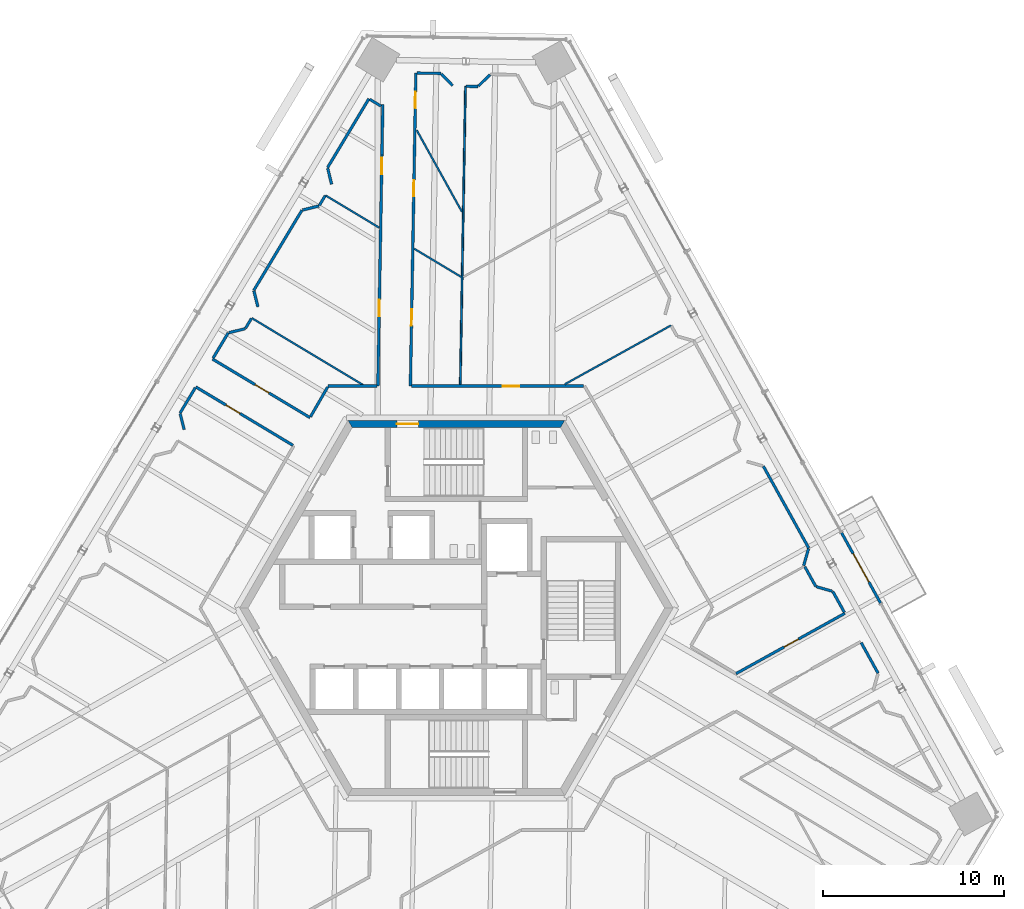
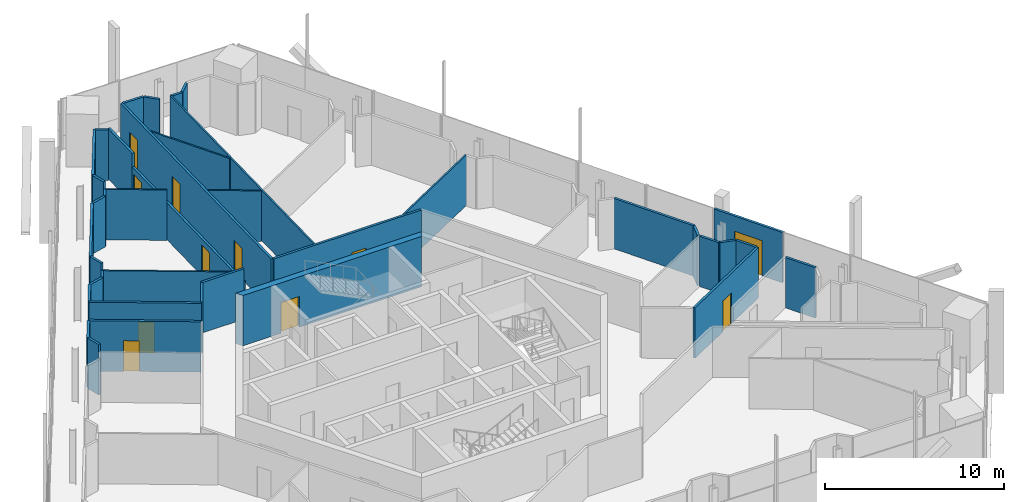
# One storey, part 15 of 22: 39 walls, 11 doors, 11 openings.
"""IFC4 building model written with IfcOpenShell, lengths in metres."""

from ifc_helpers import new_model, si_unit, direction, frame, frame_2d, origin, place, context, subcontext, project, spatial, polyline, rectangle, outline, extrude, source, transform, mapped, material, layer, layer_set, type_object, element, fill, save


model = new_model("IFC4")

# Units and contexts
model_context = context("Model", 3, precision=1e-05, world=origin(), true_north=direction((0.0, 1.0)))
body_context = subcontext(model_context, "Body", "Model", "MODEL_VIEW")
ifc_project = project(units=[si_unit("LENGTHUNIT", "METRE"), si_unit("AREAUNIT", "SQUARE_METRE"), si_unit("VOLUMEUNIT", "CUBIC_METRE"), si_unit("PLANEANGLEUNIT", "RADIAN"), si_unit("MASSUNIT", "GRAM", prefix="KILO")], contexts=[model_context])

# Site, building, storey
site_placement = place(None, origin())
site = spatial("IfcSite", under=ifc_project, at=site_placement, CompositionType="ELEMENT")
building_placement = place(site_placement, origin())
building = spatial("IfcBuilding", under=site, at=building_placement, Name="Triune Harvest Tower", CompositionType="ELEMENT")
storey_placement = place(building_placement, frame((0.0, 0.0, 208.699951171875)))
storey = spatial("IfcBuildingStorey", under=building, at=storey_placement, Name="L54", CompositionType="ELEMENT", Elevation=208.699951171875)

# Walls
ifc_material_1 = material(Name="Gypsum board on steel studs", Category="steel")
ifc_layer_1 = layer(ifc_material_1, 0.14990234375)
ifc_layer_set_1 = layer_set([ifc_layer_1], Name="Gypsum board on steel studs")
wall_type_1 = type_object("IfcWallType", Name="Fire Partition 150 mm", PredefinedType="PARTITIONING", material=ifc_layer_set_1)
wall_1_placement = place(storey_placement, frame((-15.294677734375, 10.767333984375, 0.0), z_axis=(0.0, 0.0, 1.0), x_axis=(0.241781213192, -0.970330791507, 0.0)))
element("IfcWall", 1, at=wall_1_placement, inside=storey, type_object=wall_type_1, Name="Partition L54 004", PredefinedType="PARTITIONING", context=body_context, shape_type="SweptSolid", body=[
    extrude(rectangle(XDim=0.913818359375, YDim=0.14990234375, at=frame_2d((0.45703125, 0.0))), origin(), (0.0, 0.0, 1.0), 3.43994140625),
])
wall_2_placement = place(storey_placement, frame((19.296875, 2.29052734375, 0.0), z_axis=(0.0, 0.0, 1.0), x_axis=(0.484771147593, -0.874641031773, 0.0)))
element("IfcWall", 2, at=wall_2_placement, inside=storey, type_object=wall_type_1, Name="Partition L54 018", PredefinedType="PARTITIONING", context=body_context, shape_type="SweptSolid", body=[
    extrude(rectangle(XDim=1.260498046875, YDim=0.14990234375, at=frame_2d((0.63037109375, 0.0))), origin(), (0.0, 0.0, 1.0), 3.43994140625),
])
wall_3_placement = place(storey_placement, frame((17.001220703125, 7.853515625, 0.0), z_axis=(0.0, 0.0, 1.0), x_axis=(0.484810485576, -0.874619227479, 0.0)))
element("IfcWall", 3, at=wall_3_placement, inside=storey, type_object=wall_type_1, Name="Partition L54 023", PredefinedType="PARTITIONING", context=body_context, shape_type="SweptSolid", body=[
    extrude(rectangle(XDim=5.180908203125, YDim=0.14990234375, at=frame_2d((2.59033203125, 0.0))), origin(), (0.0, 0.0, 1.0), 3.43994140625),
])
wall_4_placement = place(storey_placement, frame((22.41845703125, -1.919677734375, 0.0), z_axis=(0.0, 0.0, 1.0), x_axis=(0.484795662351, -0.874627443981, 0.0)))
element("IfcWall", 4, at=wall_4_placement, inside=storey, type_object=wall_type_1, Name="Partition L54 025", PredefinedType="PARTITIONING", context=body_context, shape_type="SweptSolid", body=[
    extrude(rectangle(XDim=1.933349609375, YDim=0.14990234375, at=frame_2d((0.966796875, 0.0))), origin(), (0.0, 0.0, 1.0), 3.43994140625),
])

# Wall, opening, door
wall_5_placement = place(storey_placement, frame((-14.431396484375, 12.245361328125, 0.0), z_axis=(0.0, 0.0, 1.0), x_axis=(0.85715997483, -0.515050267013, 0.0)))
wall_5 = element("IfcWall", 5, at=wall_5_placement, inside=storey, type_object=wall_type_1, Name="Partition L54 040", PredefinedType="PARTITIONING", context=body_context, shape_type="SweptSolid", body=[
    extrude(rectangle(XDim=6.279296875, YDim=0.14990234375, at=frame_2d((3.1396484375, 0.0))), origin(), (0.0, 0.0, 1.0), 3.43994140625),
])
opening_1_placement = place(wall_5_placement, frame((1.949951171875, 0.0, 0.0)))
opening_1 = element("IfcOpeningElement", 6, at=opening_1_placement, cuts=wall_5, Name="Opening L54-013", PredefinedType="OPENING", context=body_context, shape_type="SweptSolid", body=[
    extrude(rectangle(XDim=0.89990234375, YDim=2.10009765625, at=frame_2d((0.449951171875, 1.050048828125))), frame((0.0, 0.0849609375, 0.0), z_axis=(0.0, -1.0, 0.0), x_axis=(1.0, 0.0, 0.0)), (0.0, 0.0, 1.0), 0.169921875),
])
ifc_material_2 = material(Name="Timber and steel door set", Category="steel")
door_type_1 = type_object("IfcDoorType", Name="Single leaf door FD30 right hand 900 x 2100", OperationType="SINGLE_SWING_RIGHT", PredefinedType="DOOR", material=ifc_material_2)
door_1_placement = place(opening_1_placement, origin())
door_1 = element("IfcDoor", 7, at=door_1_placement, inside=storey, type_object=door_type_1, Name="Door L54-013 Meeting Room 54.13", OperationType="SINGLE_SWING_RIGHT", OverallHeight=2.10009765625, OverallWidth=0.89990234375, PredefinedType="DOOR", context=body_context, shape_type="SweptSolid", body=[
    extrude(rectangle(XDim=0.89990234375, YDim=2.10009765625, at=frame_2d((0.449951171875, 1.050048828125))), frame((0.0, 0.02490234375, 0.0), z_axis=(0.0, -1.0, 0.0), x_axis=(1.0, 0.0, 0.0)), (0.0, 0.0, 1.0), 0.050048828125),
])
fill(opening_1, door_1)

wall_6_placement = place(storey_placement, frame((-13.50439453125, 13.788330078125, 0.0), z_axis=(0.0, 0.0, 1.0), x_axis=(0.857171236969, -0.515031523805, 0.0)))
wall_6 = element("IfcWall", 8, at=wall_6_placement, inside=storey, type_object=wall_type_1, Name="Partition L54 042", PredefinedType="PARTITIONING", context=body_context, shape_type="SweptSolid", body=[
    extrude(rectangle(XDim=6.2978515625, YDim=0.14990234375, at=frame_2d((3.14892578125, 0.0))), origin(), (0.0, 0.0, 1.0), 3.43994140625),
])
opening_2_placement = place(wall_6_placement, frame((2.748046875, 0.0, 0.0)))
opening_2 = element("IfcOpeningElement", 9, at=opening_2_placement, cuts=wall_6, Name="Opening L54-014", PredefinedType="OPENING", context=body_context, shape_type="SweptSolid", body=[
    extrude(rectangle(XDim=0.89990234375, YDim=2.10009765625, at=frame_2d((0.449951171875, 1.050048828125))), frame((0.0, 0.0849609375, 0.0), z_axis=(0.0, -1.0, 0.0), x_axis=(1.0, 0.0, 0.0)), (0.0, 0.0, 1.0), 0.169921875),
])
door_2_placement = place(opening_2_placement, origin())
door_2 = element("IfcDoor", 10, at=door_2_placement, inside=storey, type_object=door_type_1, Name="Door L54-014 Office 54.14", OperationType="SINGLE_SWING_RIGHT", OverallHeight=2.10009765625, OverallWidth=0.89990234375, PredefinedType="DOOR", context=body_context, shape_type="SweptSolid", body=[
    extrude(rectangle(XDim=0.89990234375, YDim=2.10009765625, at=frame_2d((0.449951171875, 1.050048828125))), frame((0.0, 0.02490234375, 0.0), z_axis=(0.0, -1.0, 0.0), x_axis=(1.0, 0.0, 0.0)), (0.0, 0.0, 1.0), 0.050048828125),
])
fill(opening_2, door_2)

# Walls
wall_7_placement = place(storey_placement, frame((-4.80224609375, 28.17431640625, 0.0), z_axis=(0.0, 0.0, 1.0), x_axis=(0.857112212086, -0.51512974666, 0.0)))
element("IfcWall", 11, at=wall_7_placement, inside=storey, type_object=wall_type_1, Name="Partition L54 048", PredefinedType="PARTITIONING", context=body_context, shape_type="SweptSolid", body=[
    extrude(rectangle(XDim=0.736083984375, YDim=0.14990234375, at=frame_2d((0.3681640625, 0.0))), origin(), (0.0, 0.0, 1.0), 3.43994140625),
])
wall_8_placement = place(storey_placement, frame((-7.096923828125, 12.292236328125, 0.0), z_axis=(0.0, 0.0, 1.0), x_axis=(1.0, 0.0, 0.0)))
element("IfcWall", 12, at=wall_8_placement, inside=storey, type_object=wall_type_1, Name="Partition L54 073", PredefinedType="PARTITIONING", context=body_context, shape_type="SweptSolid", body=[
    extrude(rectangle(XDim=2.7001953125, YDim=0.14990234375, at=frame_2d((1.35009765625, 0.0))), origin(), (0.0, 0.0, 1.0), 3.43994140625),
])

# Wall, opening, door
wall_9_placement = place(storey_placement, frame((-2.486572265625, 12.292236328125, 0.0), z_axis=(0.0, 0.0, 1.0), x_axis=(1.0, 0.0, 0.0)))
wall_9 = element("IfcWall", 13, at=wall_9_placement, inside=storey, type_object=wall_type_1, Name="Partition L54 074", PredefinedType="PARTITIONING", context=body_context, shape_type="SweptSolid", body=[
    extrude(rectangle(XDim=9.53369140625, YDim=0.14990234375, at=frame_2d((4.766845703125, 0.0))), origin(), (0.0, 0.0, 1.0), 3.43994140625),
])
opening_3_placement = place(wall_9_placement, frame((5.061279296875, 0.0, 0.0)))
opening_3 = element("IfcOpeningElement", 14, at=opening_3_placement, cuts=wall_9, Name="Opening L54-006", PredefinedType="OPENING", context=body_context, shape_type="SweptSolid", body=[
    extrude(rectangle(XDim=0.89990234375, YDim=2.10009765625, at=frame_2d((0.449951171875, 1.050048828125))), frame((0.0, 0.0849609375, 0.0), z_axis=(0.0, -1.0, 0.0), x_axis=(1.0, 0.0, 0.0)), (0.0, 0.0, 1.0), 0.169921875),
])
door_3_placement = place(opening_3_placement, origin())
door_3 = element("IfcDoor", 15, at=door_3_placement, inside=storey, type_object=door_type_1, Name="Door L54-006 Open Office 54.06", OperationType="SINGLE_SWING_RIGHT", OverallHeight=2.10009765625, OverallWidth=0.89990234375, PredefinedType="DOOR", context=body_context, shape_type="SweptSolid", body=[
    extrude(rectangle(XDim=0.89990234375, YDim=2.10009765625, at=frame_2d((0.449951171875, 1.050048828125))), frame((0.0, 0.02490234375, 0.0), z_axis=(0.0, -1.0, 0.0), x_axis=(1.0, 0.0, 0.0)), (0.0, 0.0, 1.0), 0.050048828125),
])
fill(opening_3, door_3)

wall_10_placement = place(storey_placement, frame((15.490478515625, -3.633544921875, 0.0), z_axis=(0.0, 0.0, 1.0), x_axis=(0.874613165921, 0.48482142073, 0.0)))
wall_10 = element("IfcWall", 16, at=wall_10_placement, inside=storey, type_object=wall_type_1, Name="Partition L54 088", PredefinedType="PARTITIONING", context=body_context, shape_type="SweptSolid", body=[
    extrude(rectangle(XDim=6.890380859375, YDim=0.14990234375, at=frame_2d((3.4453125, 0.0))), origin(), (0.0, 0.0, 1.0), 3.43994140625),
])
opening_4_placement = place(wall_10_placement, frame((3.040283203125, 0.0, 0.0)))
opening_4 = element("IfcOpeningElement", 17, at=opening_4_placement, cuts=wall_10, Name="Opening L54-002", PredefinedType="OPENING", context=body_context, shape_type="SweptSolid", body=[
    extrude(rectangle(XDim=0.89990234375, YDim=2.10009765625, at=frame_2d((0.449951171875, 1.050048828125))), frame((0.0, 0.0849609375, 0.0), z_axis=(0.0, -1.0, 0.0), x_axis=(1.0, 0.0, 0.0)), (0.0, 0.0, 1.0), 0.169921875),
])
door_4_placement = place(opening_4_placement, origin())
door_4 = element("IfcDoor", 18, at=door_4_placement, inside=storey, type_object=door_type_1, Name="Door L54-002 Meeting Room 54.02", OperationType="SINGLE_SWING_RIGHT", OverallHeight=2.10009765625, OverallWidth=0.89990234375, PredefinedType="DOOR", context=body_context, shape_type="SweptSolid", body=[
    extrude(rectangle(XDim=0.89990234375, YDim=2.10009765625, at=frame_2d((0.449951171875, 1.050048828125))), frame((0.0, 0.02490234375, 0.0), z_axis=(0.0, -1.0, 0.0), x_axis=(1.0, 0.0, 0.0)), (0.0, 0.0, 1.0), 0.050048828125),
])
fill(opening_4, door_4)

# Walls
wall_11_placement = place(storey_placement, frame((-8.075927734375, 10.5966796875, 0.0), z_axis=(0.0, 0.0, 1.0), x_axis=(0.499951377577, 0.866053474134, 0.0)))
element("IfcWall", 19, at=wall_11_placement, inside=storey, type_object=wall_type_1, Name="Partition L54 121", PredefinedType="PARTITIONING", context=body_context, shape_type="SweptSolid", body=[
    extrude(rectangle(XDim=1.907958984375, YDim=0.14990234375, at=frame_2d((0.9541015625, 0.0))), origin(), (0.0, 0.0, 1.0), 3.43994140625),
])
wall_12_placement = place(storey_placement, frame((19.23291015625, 2.346923828125, 0.0), z_axis=(0.0, 0.0, 1.0), x_axis=(0.275637675109, 0.961261604383, 0.0)))
element("IfcWall", 20, at=wall_12_placement, inside=storey, type_object=wall_type_1, Name="Partition L54 123", PredefinedType="PARTITIONING", context=body_context, shape_type="SweptSolid", body=[
    extrude(rectangle(XDim=0.98486328125, YDim=0.14990234375, at=frame_2d((0.492431640625, 0.0))), origin(), (0.0, 0.0, 1.0), 3.43994140625),
])

# Wall, openings, doors
wall_13_placement = place(storey_placement, frame((-2.54638671875, 12.292236328125, 0.0), z_axis=(0.0, 0.0, 1.0), x_axis=(0.017445345749, 0.999847818376, 0.0)))
wall_13 = element("IfcWall", 21, at=wall_13_placement, inside=storey, type_object=wall_type_1, Name="Partition L54 131", PredefinedType="PARTITIONING", context=body_context, shape_type="SweptSolid", body=[
    extrude(rectangle(XDim=17.33935546875, YDim=0.14990234375, at=frame_2d((8.669677734375, 0.0))), origin(), (0.0, 0.0, 1.0), 3.43994140625),
])
opening_5_placement = place(wall_13_placement, frame((15.401611328125, 0.0, 0.0)))
opening_5 = element("IfcOpeningElement", 22, at=opening_5_placement, cuts=wall_13, Name="Opening L54-008", PredefinedType="OPENING", context=body_context, shape_type="SweptSolid", body=[
    extrude(rectangle(XDim=0.89990234375, YDim=2.10009765625, at=frame_2d((0.449951171875, 1.050048828125))), frame((0.0, 0.0849609375, 0.0), z_axis=(0.0, -1.0, 0.0), x_axis=(1.0, 0.0, 0.0)), (0.0, 0.0, 1.0), 0.169921875),
])
opening_6_placement = place(wall_13_placement, frame((10.5048828125, 0.0, 0.0)))
opening_6 = element("IfcOpeningElement", 23, at=opening_6_placement, cuts=wall_13, Name="Opening L54-010", PredefinedType="OPENING", context=body_context, shape_type="SweptSolid", body=[
    extrude(rectangle(XDim=0.89990234375, YDim=2.10009765625, at=frame_2d((0.449951171875, 1.050048828125))), frame((0.0, 0.0849609375, 0.0), z_axis=(0.0, -1.0, 0.0), x_axis=(1.0, 0.0, 0.0)), (0.0, 0.0, 1.0), 0.169921875),
])
opening_7_placement = place(wall_13_placement, frame((3.35009765625, 0.0, 0.0)))
opening_7 = element("IfcOpeningElement", 24, at=opening_7_placement, cuts=wall_13, Name="Opening L54-012", PredefinedType="OPENING", context=body_context, shape_type="SweptSolid", body=[
    extrude(rectangle(XDim=0.89990234375, YDim=2.10009765625, at=frame_2d((0.449951171875, 1.050048828125))), frame((0.0, 0.0849609375, 0.0), z_axis=(0.0, -1.0, 0.0), x_axis=(1.0, 0.0, 0.0)), (0.0, 0.0, 1.0), 0.169921875),
])
ifc_material_3 = material(Name="Timber and steel door set", Category="steel")
door_type_2 = type_object("IfcDoorType", Name="Single leaf door FD30 left hand 900 x 2100", OperationType="SINGLE_SWING_LEFT", PredefinedType="DOOR", material=ifc_material_3)
door_5_placement = place(opening_5_placement, origin())
door_5 = element("IfcDoor", 25, at=door_5_placement, inside=storey, type_object=door_type_2, Name="Door L54-008 Meeting Room 54.08", OperationType="SINGLE_SWING_LEFT", OverallHeight=2.10009765625, OverallWidth=0.89990234375, PredefinedType="DOOR", context=body_context, shape_type="SweptSolid", body=[
    extrude(rectangle(XDim=0.89990234375, YDim=2.10009765625, at=frame_2d((0.449951171875, 1.050048828125))), frame((0.0, 0.02490234375, 0.0), z_axis=(0.0, -1.0, 0.0), x_axis=(1.0, 0.0, 0.0)), (0.0, 0.0, 1.0), 0.050048828125),
])
fill(opening_5, door_5)
door_6_placement = place(opening_6_placement, origin())
door_6 = element("IfcDoor", 26, at=door_6_placement, inside=storey, type_object=door_type_2, Name="Door L54-010 Meeting Room 54.10", OperationType="SINGLE_SWING_LEFT", OverallHeight=2.10009765625, OverallWidth=0.89990234375, PredefinedType="DOOR", context=body_context, shape_type="SweptSolid", body=[
    extrude(rectangle(XDim=0.89990234375, YDim=2.10009765625, at=frame_2d((0.449951171875, 1.050048828125))), frame((0.0, 0.02490234375, 0.0), z_axis=(0.0, -1.0, 0.0), x_axis=(1.0, 0.0, 0.0)), (0.0, 0.0, 1.0), 0.050048828125),
])
fill(opening_6, door_6)
door_7_placement = place(opening_7_placement, origin())
door_7 = element("IfcDoor", 27, at=door_7_placement, inside=storey, type_object=door_type_1, Name="Door L54-012 Dry Store Room 54.12", OperationType="SINGLE_SWING_RIGHT", OverallHeight=2.10009765625, OverallWidth=0.89990234375, PredefinedType="DOOR", context=body_context, shape_type="SweptSolid", body=[
    extrude(rectangle(XDim=0.89990234375, YDim=2.10009765625, at=frame_2d((0.449951171875, 1.050048828125))), frame((0.0, 0.02490234375, 0.0), z_axis=(0.0, -1.0, 0.0), x_axis=(1.0, 0.0, 0.0)), (0.0, 0.0, 1.0), 0.050048828125),
])
fill(opening_7, door_7)

wall_14_placement = place(storey_placement, frame((-4.3466796875, 12.292236328125, 0.0), z_axis=(0.0, 0.0, 1.0), x_axis=(0.017445087527, 0.999847822882, 0.0)))
wall_14 = element("IfcWall", 28, at=wall_14_placement, inside=storey, type_object=wall_type_1, Name="Partition L54 133", PredefinedType="PARTITIONING", context=body_context, shape_type="SweptSolid", body=[
    extrude(rectangle(XDim=12.791259765625, YDim=0.14990234375, at=frame_2d((6.3955078125, 0.0))), origin(), (0.0, 0.0, 1.0), 2.51806640625),
])
opening_8_placement = place(wall_14_placement, frame((11.7412109375, 0.0, 0.0)))
opening_8 = element("IfcOpeningElement", 29, at=opening_8_placement, cuts=wall_14, Name="Opening L54-009", PredefinedType="OPENING", context=body_context, shape_type="SweptSolid", body=[
    extrude(rectangle(XDim=0.89990234375, YDim=2.10009765625, at=frame_2d((0.449951171875, 1.050048828125))), frame((0.0, 0.0849609375, 0.0), z_axis=(0.0, -1.0, 0.0), x_axis=(1.0, 0.0, 0.0)), (0.0, 0.0, 1.0), 0.169921875),
])
opening_9_placement = place(wall_14_placement, frame((3.87548828125, 0.0, 0.0)))
opening_9 = element("IfcOpeningElement", 30, at=opening_9_placement, cuts=wall_14, Name="Opening L54-011", PredefinedType="OPENING", context=body_context, shape_type="SweptSolid", body=[
    extrude(rectangle(XDim=0.89990234375, YDim=2.10009765625, at=frame_2d((0.449951171875, 1.050048828125))), frame((0.0, 0.0849609375, 0.0), z_axis=(0.0, -1.0, 0.0), x_axis=(1.0, 0.0, 0.0)), (0.0, 0.0, 1.0), 0.169921875),
])
door_8_placement = place(opening_9_placement, origin())
door_8 = element("IfcDoor", 31, at=door_8_placement, inside=storey, type_object=door_type_2, Name="Door L54-011 Reception 54.11", OperationType="SINGLE_SWING_LEFT", OverallHeight=2.10009765625, OverallWidth=0.89990234375, PredefinedType="DOOR", context=body_context, shape_type="SweptSolid", body=[
    extrude(rectangle(XDim=0.89990234375, YDim=2.10009765625, at=frame_2d((0.449951171875, 1.050048828125))), frame((0.0, 0.02490234375, 0.0), z_axis=(0.0, -1.0, 0.0), x_axis=(1.0, 0.0, 0.0)), (0.0, 0.0, 1.0), 0.050048828125),
])
fill(opening_9, door_8)
door_9_placement = place(opening_8_placement, origin())
door_9 = element("IfcDoor", 32, at=door_9_placement, inside=storey, type_object=door_type_1, Name="Door L54-009 Meeting Room 54.09", OperationType="SINGLE_SWING_RIGHT", OverallHeight=2.10009765625, OverallWidth=0.89990234375, PredefinedType="DOOR", context=body_context, shape_type="SweptSolid", body=[
    extrude(rectangle(XDim=0.89990234375, YDim=2.10009765625, at=frame_2d((0.449951171875, 1.050048828125))), frame((0.0, 0.02490234375, 0.0), z_axis=(0.0, -1.0, 0.0), x_axis=(1.0, 0.0, 0.0)), (0.0, 0.0, 1.0), 0.050048828125),
])
fill(opening_8, door_9)

# Walls
wall_15_placement = place(storey_placement, frame((-4.12353515625, 25.08154296875, 0.0), z_axis=(0.0, 0.0, 1.0), x_axis=(0.017438701217, 0.999847934288, 0.0)))
element("IfcWall", 33, at=wall_15_placement, inside=storey, type_object=wall_type_1, Name="Partition L54 133a", PredefinedType="PARTITIONING", context=body_context, shape_type="SweptSolid", body=[
    extrude(rectangle(XDim=2.800048828125, YDim=0.14990234375, at=frame_2d((1.39990234375, 0.0))), origin(), (0.0, 0.0, 1.0), 3.43994140625),
])
ifc_material_4 = material(Name="Gypsum board on steel studs", Category="steel")
ifc_layer_2 = layer(ifc_material_4, 0.10009765625)
ifc_layer_set_2 = layer_set([ifc_layer_2], Name="Gypsum board on steel studs")
wall_type_2 = type_object("IfcWallType", Name="Partition 100 mm", PredefinedType="PARTITIONING", material=ifc_layer_set_2)
wall_16_placement = place(storey_placement, frame((-2.19921875, 26.467041015625, 0.0), z_axis=(0.0, 0.0, 1.0), x_axis=(0.484821038901, -0.874613377578, 0.0)))
element("IfcWall", 34, at=wall_16_placement, inside=storey, type_object=wall_type_2, Name="Partition L54 011", PredefinedType="PARTITIONING", context=body_context, shape_type="SweptSolid", body=[
    extrude(rectangle(XDim=5.171630859375, YDim=0.10009765625, at=frame_2d((2.5859375, 0.0))), origin(), (0.0, 0.0, 1.0), 3.43994140625),
])
wall_17_placement = place(storey_placement, frame((-11.336181640625, 16.059814453125, 0.0), z_axis=(0.0, 0.0, 1.0), x_axis=(0.857157021982, -0.515055181186, 0.0)))
element("IfcWall", 35, at=wall_17_placement, inside=storey, type_object=wall_type_2, Name="Partition L54 045", PredefinedType="PARTITIONING", context=body_context, shape_type="SweptSolid", body=[
    extrude(rectangle(XDim=7.31494140625, YDim=0.10009765625, at=frame_2d((3.657470703125, 0.0))), origin(), (0.0, 0.0, 1.0), 3.43994140625),
])
wall_18_placement = place(storey_placement, frame((-7.25341796875, 22.8544921875, 0.0), z_axis=(0.0, 0.0, 1.0), x_axis=(0.857176928871, -0.515022050606, 0.0)))
element("IfcWall", 36, at=wall_18_placement, inside=storey, type_object=wall_type_2, Name="Partition L54 046", PredefinedType="PARTITIONING", context=body_context, shape_type="SweptSolid", body=[
    extrude(rectangle(XDim=3.478515625, YDim=0.10009765625, at=frame_2d((1.7392578125, 0.0))), origin(), (0.0, 0.0, 1.0), 3.43994140625),
])
wall_19_placement = place(storey_placement, frame((-2.335693359375, 19.899658203125, 0.0), z_axis=(0.0, 0.0, 1.0), x_axis=(0.857172582872, -0.515029283801, 0.0)))
element("IfcWall", 37, at=wall_19_placement, inside=storey, type_object=wall_type_2, Name="Partition L54 047", PredefinedType="PARTITIONING", context=body_context, shape_type="SweptSolid", body=[
    extrude(rectangle(XDim=3.027587890625, YDim=0.10009765625, at=frame_2d((1.513671875, 0.0))), origin(), (0.0, 0.0, 1.0), 3.43994140625),
])
wall_20_placement = place(storey_placement, frame((5.999755859375, 12.389404296875, 0.0), z_axis=(0.0, 0.0, 1.0), x_axis=(0.874615185576, 0.484817777273, 0.0)))
element("IfcWall", 38, at=wall_20_placement, inside=storey, type_object=wall_type_2, Name="Partition L54 092", PredefinedType="PARTITIONING", context=body_context, shape_type="SweptSolid", body=[
    extrude(rectangle(XDim=6.734375, YDim=0.10009765625, at=frame_2d((3.3671875, 0.0))), origin(), (0.0, 0.0, 1.0), 3.43994140625),
])
wall_21_placement = place(storey_placement, frame((0.214599609375, 12.292236328125, 0.0), z_axis=(0.0, 0.0, 1.0), x_axis=(0.0174403191, 0.999847906069, 0.0)))
element("IfcWall", 39, at=wall_21_placement, inside=storey, type_object=wall_type_2, Name="Partition L54 129", PredefinedType="PARTITIONING", context=body_context, shape_type="SweptSolid", body=[
    extrude(rectangle(XDim=16.602294921875, YDim=0.10009765625, at=frame_2d((8.30126953125, 0.0))), origin(), (0.0, 0.0, 1.0), 3.43994140625),
])

# Wall, opening, door
ifc_material_5 = material(Name="Concrete 70 MPa", Category="concrete")
ifc_layer_3 = layer(ifc_material_5, 0.39990234375)
ifc_layer_set_3 = layer_set([ifc_layer_3], Name="Concrete 70 MPa")
wall_type_3 = type_object("IfcWallType", Name="Core wall 400", PredefinedType="SHEAR", material=ifc_layer_set_3)
shared_shape_1 = source(origin(), body_context, "Body", "SweptSolid", [
    extrude(outline(polyline([(-0.115478515625, -0.199951171875), (11.884521484375, -0.199951171875), (11.653564453125, 0.199951171875), (0.115478515625, 0.199951171875), (-0.115478515625, -0.199951171875)])), origin(), (0.0, 0.0, 1.0), 3.43994140625),
])
wall_22_placement = place(storey_placement, frame((5.884521484375, 10.1923828125, 0.0), z_axis=(0.0, 0.0, 1.0), x_axis=(-1.0, 0.0, 0.0)))
wall_22 = element("IfcWall", 40, at=wall_22_placement, inside=storey, type_object=wall_type_3, Name="Hexagon 1 wall", PredefinedType="SHEAR", context=body_context, shape_type="MappedRepresentation", body=[
    mapped(shared_shape_1, transform((0.0, 0.0, 0.0), scale=1.0)),
])
opening_10_placement = place(wall_22_placement, frame((7.984619140625, 0.0, 0.0)))
opening_10 = element("IfcOpeningElement", 41, at=opening_10_placement, cuts=wall_22, Name="Opening CD-S1P", PredefinedType="OPENING", context=body_context, shape_type="SweptSolid", body=[
    extrude(rectangle(XDim=1.199951171875, YDim=2.10009765625, at=frame_2d((0.60009765625, 1.050048828125))), frame((0.0, 0.2099609375, 0.0), z_axis=(0.0, -1.0, 0.0), x_axis=(1.0, 0.0, 0.0)), (0.0, 0.0, 1.0), 0.419921875),
])
ifc_material_6 = material(Name="Steel S235", Category="steel")
door_type_3 = type_object("IfcDoorType", Name="Stair door 1200 FD120", OperationType="SINGLE_SWING_LEFT", PredefinedType="DOOR", material=ifc_material_6)
door_10_placement = place(opening_10_placement, frame((1.199951171875, 0.0, 0.0), z_axis=(0.0, 0.0, 1.0), x_axis=(-1.0, 0.0, 0.0)))
door_10 = element("IfcDoor", 42, at=door_10_placement, inside=storey, type_object=door_type_3, Name="Door CD-S1P", OperationType="SINGLE_SWING_RIGHT", OverallHeight=2.10009765625, OverallWidth=1.199951171875, PredefinedType="DOOR", context=body_context, shape_type="SweptSolid", body=[
    extrude(rectangle(XDim=1.199951171875, YDim=2.10009765625, at=frame_2d((0.60009765625, 1.050048828125))), frame((0.0, 0.02490234375, 0.0), z_axis=(0.0, -1.0, 0.0), x_axis=(1.0, 0.0, 0.0)), (0.0, 0.0, 1.0), 0.050048828125),
])
fill(opening_10, door_10)

ifc_material_7 = material(Name="Aluminium bronze anodised", Category="aluminium")
ifc_layer_4 = layer(ifc_material_7, 0.14990234375)
ifc_layer_set_4 = layer_set([ifc_layer_4], Name="Aluminium bronze anodised")
wall_type_4 = type_object("IfcWallType", Name="WW-2 balcony window wall", PredefinedType="ELEMENTEDWALL", material=ifc_layer_set_4)
shared_shape_2 = source(origin(), body_context, "Body", "SweptSolid", [
    extrude(rectangle(XDim=4.460693359375, YDim=0.14990234375, at=frame_2d((2.23046875, 0.0))), origin(), (0.0, 0.0, 1.0), 3.43994140625),
])
wall_23_placement = place(storey_placement, frame((21.328369140625, 4.17236328125, 0.0), z_axis=(0.0, 0.0, 1.0), x_axis=(0.484815538564, -0.874616426536, 0.0)))
wall_23 = element("IfcWall", 43, at=wall_23_placement, inside=storey, type_object=wall_type_4, Name="WW-2 B5-F1 L54.4", PredefinedType="ELEMENTEDWALL", context=body_context, shape_type="MappedRepresentation", body=[
    mapped(shared_shape_2, transform((0.0, 0.0, 0.0), scale=1.0)),
])
opening_11_placement = place(wall_23_placement, frame((1.330322265625, 0.0, 0.0)))
opening_11 = element("IfcOpeningElement", 44, at=opening_11_placement, cuts=wall_23, Name="Opening L54-E01", PredefinedType="OPENING", context=body_context, shape_type="SweptSolid", body=[
    extrude(rectangle(XDim=1.800048828125, YDim=2.39990234375, at=frame_2d((0.89990234375, 1.199951171875))), frame((0.0, 0.0849609375, 0.0), z_axis=(0.0, -1.0, 0.0), x_axis=(1.0, 0.0, 0.0)), (0.0, 0.0, 1.0), 0.169921875),
])
ifc_material_8 = material(Name="Glass", Category="glass")
door_type_4 = type_object("IfcDoorType", Name="DB-1 balcony door 1800 x 2400", OperationType="DOUBLE_DOOR_SINGLE_SWING", PredefinedType="DOOR", material=ifc_material_8)
door_11_placement = place(opening_11_placement, origin())
door_11 = element("IfcDoor", 45, at=door_11_placement, inside=storey, type_object=door_type_4, Name="Door L54-E01", OperationType="DOUBLE_DOOR_SINGLE_SWING", OverallHeight=2.39990234375, OverallWidth=1.800048828125, PredefinedType="DOOR", context=body_context, shape_type="SweptSolid", body=[
    extrude(rectangle(XDim=1.800048828125, YDim=2.39990234375, at=frame_2d((0.89990234375, 1.199951171875))), frame((0.0, 0.02490234375, 0.0), z_axis=(0.0, -1.0, 0.0), x_axis=(1.0, 0.0, 0.0)), (0.0, 0.0, 1.0), 0.050048828125),
])
fill(opening_11, door_11)

# Walls
shared_shape_3 = source(origin(), body_context, "Body", "SweptSolid", [
    extrude(rectangle(XDim=0.9140625, YDim=0.14990234375, at=frame_2d((0.45703125, 0.0))), origin(), (0.0, 0.0, 1.0), 3.43994140625),
])
for number, where, z_axis, x_axis, name in (
    (46, (-11.2119140625, 17.5625, 0.0), (0.0, 0.0, 1.0), (0.241718550758, -0.970346403208, 0.0), "Partition L54 005"),
    (47, (-7.129150390625, 24.357421875, 0.0), (0.0, 0.0, 1.0), (0.241718550758, -0.970346403208, 0.0), "Partition L54 006"),
    (48, (-0.8359375, 29.5830078125, 0.0), (0.0, 0.0, 1.0), (0.694713669559, -0.719286394511, 0.0), "Partition L54 034"),
    (49, (19.936767578125, 1.180419921875, 0.0), (0.0, 0.0, 1.0), (0.961332200512, -0.275391358357, 0.0), "Partition L54 051"),
    (50, (1.210205078125, 28.90087890625, 0.0), (0.0, 0.0, 1.0), (0.719286394511, 0.694713669559, 0.0), "Partition L54 100"),
):
    element("IfcWall", number, at=place(storey_placement, frame(where, z_axis=z_axis, x_axis=x_axis)), inside=storey, type_object=wall_type_1, Name=name, PredefinedType="PARTITIONING", context=body_context, shape_type="MappedRepresentation", body=[
        mapped(shared_shape_3, transform((0.0, 0.0, 0.0), scale=1.0)),
    ])
shared_shape_4 = source(origin(), body_context, "Body", "SweptSolid", [
    extrude(rectangle(XDim=5.1806640625, YDim=0.14990234375, at=frame_2d((2.59033203125, 0.0))), origin(), (0.0, 0.0, 1.0), 3.43994140625),
])
wall_24_placement = place(storey_placement, frame((-11.21923828125, 17.59130859375, 0.0), z_axis=(0.0, 0.0, 1.0), x_axis=(0.515036212107, 0.857168419984, 0.0)))
element("IfcWall", 51, at=wall_24_placement, inside=storey, type_object=wall_type_1, Name="Partition L54 116", PredefinedType="PARTITIONING", context=body_context, shape_type="MappedRepresentation", body=[
    mapped(shared_shape_4, transform((0.0, 0.0, 0.0), scale=1.0)),
])
shared_shape_5 = source(origin(), body_context, "Body", "SweptSolid", [
    extrude(rectangle(XDim=1.327392578125, YDim=0.14990234375, at=frame_2d((0.66357421875, 0.0))), origin(), (0.0, 0.0, 1.0), 3.43994140625),
])
for number, where, z_axis, x_axis, name in (
    (52, (20.84423828125, 0.92041015625, 0.0), (0.0, 0.0, 1.0), (0.48484626685, -0.874599392592, 0.0), "Partition L54 024"),
    (53, (-2.184326171875, 29.627685546875, 0.0), (0.0, 0.0, 1.0), (0.99984732819, -0.017473417251, 0.0), "Partition L54 069"),
):
    element("IfcWall", number, at=place(storey_placement, frame(where, z_axis=z_axis, x_axis=x_axis)), inside=storey, type_object=wall_type_1, Name=name, PredefinedType="PARTITIONING", context=body_context, shape_type="MappedRepresentation", body=[
        mapped(shared_shape_5, transform((0.0, 0.0, 0.0), scale=1.0)),
    ])
shared_shape_6 = source(origin(), body_context, "Body", "SweptSolid", [
    extrude(rectangle(XDim=4.448974609375, YDim=0.14990234375, at=frame_2d((2.224609375, 0.0))), origin(), (0.0, 0.0, 1.0), 3.43994140625),
])
wall_25_placement = place(storey_placement, frame((-7.13623046875, 24.38671875, 0.0), z_axis=(0.0, 0.0, 1.0), x_axis=(0.515020218284, 0.857178029792, 0.0)))
element("IfcWall", 54, at=wall_25_placement, inside=storey, type_object=wall_type_1, Name="Partition L54 117", PredefinedType="PARTITIONING", context=body_context, shape_type="MappedRepresentation", body=[
    mapped(shared_shape_6, transform((0.0, 0.0, 0.0), scale=1.0)),
])
shared_shape_7 = source(origin(), body_context, "Body", "SweptSolid", [
    extrude(rectangle(XDim=0.658935546875, YDim=0.14990234375, at=frame_2d((0.32958984375, 0.0))), origin(), (0.0, 0.0, 1.0), 3.43994140625),
])
wall_26_placement = place(storey_placement, frame((0.52978515625, 28.8916015625, 0.0), z_axis=(0.0, 0.0, 1.0), x_axis=(0.999848413267, -0.017411217274, 0.0)))
element("IfcWall", 55, at=wall_26_placement, inside=storey, type_object=wall_type_1, Name="Partition L54 068", PredefinedType="PARTITIONING", context=body_context, shape_type="MappedRepresentation", body=[
    mapped(shared_shape_7, transform((0.0, 0.0, 0.0), scale=1.0)),
])
shared_shape_8 = source(origin(), body_context, "Body", "SweptSolid", [
    extrude(rectangle(XDim=0.944091796875, YDim=0.14990234375, at=frame_2d((0.47216796875, 0.0))), origin(), (0.0, 0.0, 1.0), 3.43994140625),
])
for number, where, z_axis, x_axis, name in (
    (56, (-12.604736328125, 15.244384765625, 0.0), (0.0, 0.0, 1.0), (0.970264071749, 0.242048819605, 0.0), "Partition L54 079"),
    (57, (-8.52197265625, 22.039306640625, 0.0), (0.0, 0.0, 1.0), (0.970264071749, 0.242048819605, 0.0), "Partition L54 080"),
):
    element("IfcWall", number, at=place(storey_placement, frame(where, z_axis=z_axis, x_axis=x_axis)), inside=storey, type_object=wall_type_1, Name=name, PredefinedType="PARTITIONING", context=body_context, shape_type="MappedRepresentation", body=[
        mapped(shared_shape_8, transform((0.0, 0.0, 0.0), scale=1.0)),
    ])
shared_shape_9 = source(origin(), body_context, "Body", "SweptSolid", [
    extrude(rectangle(XDim=0.6298828125, YDim=0.14990234375, at=frame_2d((0.31494140625, 0.0))), origin(), (0.0, 0.0, 1.0), 3.43994140625),
])
for number, where, z_axis, x_axis, name in (
    (58, (-11.673583984375, 15.498291015625, 0.0), (0.0, 0.0, 1.0), (0.515179670409, 0.857082205624, 0.0), "Partition L54 109"),
    (59, (-7.5908203125, 22.293212890625, 0.0), (0.0, 0.0, 1.0), (0.515179670409, 0.857082205624, 0.0), "Partition L54 110"),
):
    element("IfcWall", number, at=place(storey_placement, frame(where, z_axis=z_axis, x_axis=x_axis)), inside=storey, type_object=wall_type_1, Name=name, PredefinedType="PARTITIONING", context=body_context, shape_type="MappedRepresentation", body=[
        mapped(shared_shape_9, transform((0.0, 0.0, 0.0), scale=1.0)),
    ])
shared_shape_10 = source(origin(), body_context, "Body", "SweptSolid", [
    extrude(rectangle(XDim=1.63037109375, YDim=0.14990234375, at=frame_2d((0.815185546875, 0.0))), origin(), (0.0, 0.0, 1.0), 3.43994140625),
])
for number, where, z_axis, x_axis, name in (
    (60, (-15.301513671875, 10.797119140625, 0.0), (0.0, 0.0, 1.0), (0.515002184759, 0.857188864658, 0.0), "Partition L54 114"),
    (61, (-13.4736328125, 13.839599609375, 0.0), (0.0, 0.0, 1.0), (0.515112206799, 0.857122753406, 0.0), "Partition L54 115"),
):
    element("IfcWall", number, at=place(storey_placement, frame(where, z_axis=z_axis, x_axis=x_axis)), inside=storey, type_object=wall_type_1, Name=name, PredefinedType="PARTITIONING", context=body_context, shape_type="MappedRepresentation", body=[
        mapped(shared_shape_10, transform((0.0, 0.0, 0.0), scale=1.0)),
    ])

save(model, "model.ifc")
